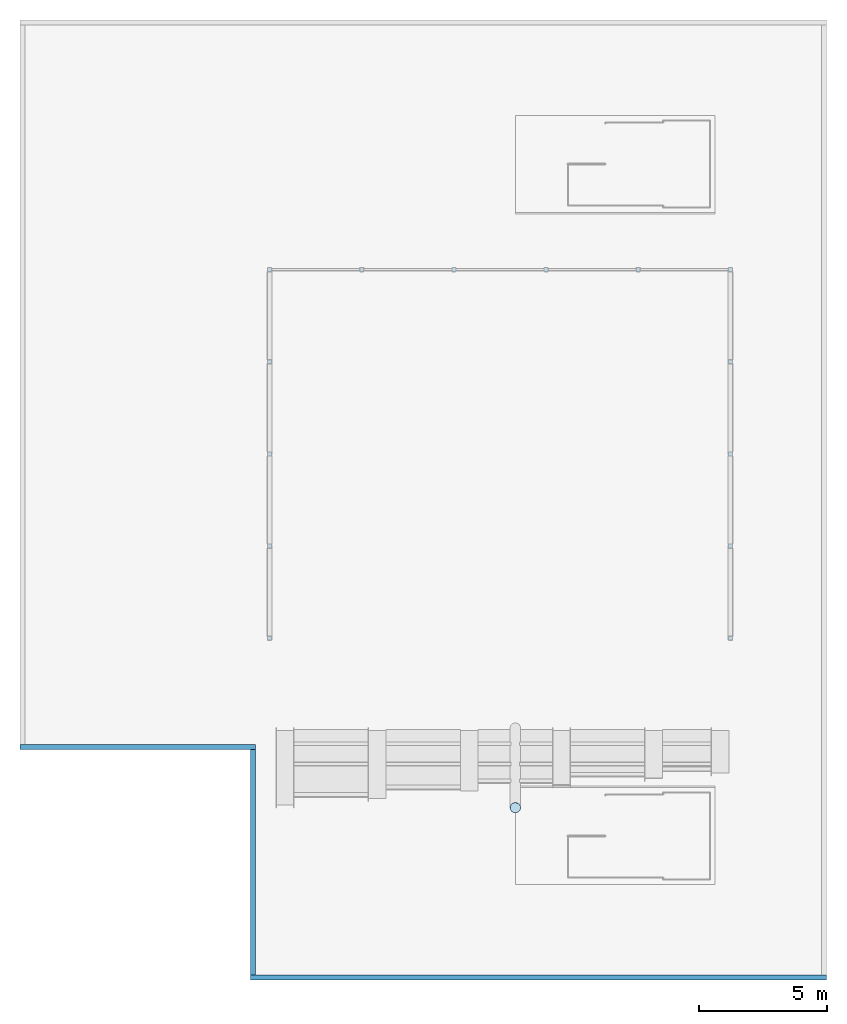
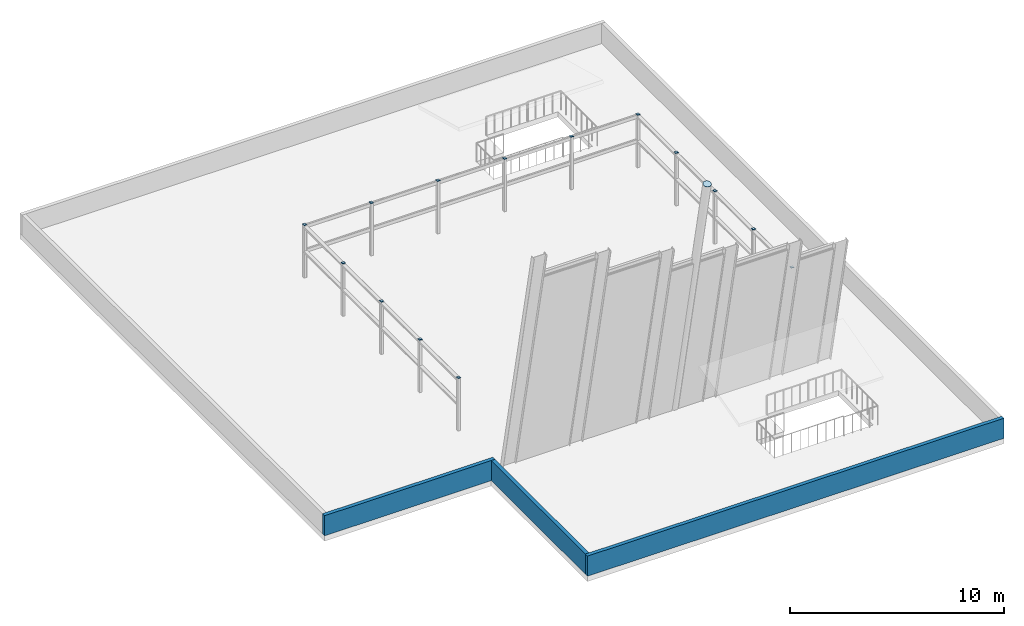
# One storey, part 3 of 5: 15 plates, 3 walls.
"""IFC4 building model written with IfcOpenShell, lengths in metres."""

from ifc_helpers import new_model, si_unit, direction, frame, frame_2d, origin, place, context, subcontext, project, spatial, polyline, rectangle, outline, extrude, material, layer, layer_set, type_object, element, save


model = new_model("IFC4")

# Units and contexts
model_context = context("Model", 3, precision=1e-05, world=origin(), true_north=direction((0.0, 1.0)))
body_context = subcontext(model_context, "Body", "Model", "MODEL_VIEW")
ifc_project = project(units=[si_unit("LENGTHUNIT", "METRE"), si_unit("AREAUNIT", "SQUARE_METRE"), si_unit("VOLUMEUNIT", "CUBIC_METRE"), si_unit("PLANEANGLEUNIT", "RADIAN"), si_unit("MASSUNIT", "GRAM", prefix="KILO")], contexts=[model_context])

# Site, building, storey
site_placement = place(None, origin())
site = spatial("IfcSite", under=ifc_project, at=site_placement, CompositionType="ELEMENT")
building_placement = place(site_placement, origin())
building = spatial("IfcBuilding", under=site, at=building_placement, Name="Tuart Plaza Theatre", CompositionType="ELEMENT")
storey_placement = place(building_placement, frame((0.0, 0.0, 70.5)))
storey = spatial("IfcBuildingStorey", under=building, at=storey_placement, Name="ROOF", CompositionType="ELEMENT", Elevation=70.5)

# Plates
ifc_material_1 = material(Name="Steel Grade C350L0", Category="steel")
ifc_layer_1 = layer(ifc_material_1, 0.010009765625)
ifc_layer_set_1 = layer_set([ifc_layer_1], Name="PLATE End cap 10 Steel Grade C350L0")
plate_type_1 = type_object("IfcPlateType", Name="PLATE End cap 10 Steel Grade C350L0", PredefinedType="SHEET", material=ifc_layer_set_1)
plate_1_placement = place(storey_placement, frame((140.925048828125, 68.52490234375, 3.010009765625), z_axis=(0.0, 0.0, 1.0), x_axis=(1.0, 0.0, 0.0)))
element("IfcPlate", 1, at=plate_1_placement, inside=storey, type_object=plate_type_1, Name="EP51", PredefinedType="SHEET", context=body_context, shape_type="SweptSolid", body=[
    extrude(outline(polyline([(0.0, 0.0), (0.14990234375, 0.0), (0.14990234375, 0.150146484375), (0.0, 0.150146484375), (0.0, 0.0)])), origin(), (0.0, 0.0, -1.0), 0.010009765625),
])
for number, where, z_axis, x_axis, name in (
    (2, (140.925048828125, 72.125, 3.010009765625), (0.0, 0.0, 1.0), (1.0, 0.0, 0.0), "EP52"),
    (3, (140.925048828125, 75.72509765625, 3.010009765625), (0.0, 0.0, 1.0), (1.0, 0.0, 0.0), "EP53"),
):
    element("IfcPlate", number, at=place(storey_placement, frame(where, z_axis=z_axis, x_axis=x_axis)), inside=storey, type_object=plate_type_1, Name=name, PredefinedType="SHEET", context=body_context, shape_type="SweptSolid", body=[
        extrude(outline(polyline([(0.0, 0.0), (0.14990234375, 0.0), (0.14990234375, 0.14990234375), (0.0, 0.14990234375), (0.0, 0.0)])), origin(), (0.0, 0.0, -1.0), 0.010009765625),
    ])
plate_2_placement = place(storey_placement, frame((140.925048828125, 79.324951171875, 3.010009765625), z_axis=(0.0, 0.0, 1.0), x_axis=(1.0, 0.0, 0.0)))
element("IfcPlate", 4, at=plate_2_placement, inside=storey, type_object=plate_type_1, Name="EP54", PredefinedType="SHEET", context=body_context, shape_type="SweptSolid", body=[
    extrude(outline(polyline([(0.0, 0.0), (0.14990234375, 0.0), (0.14990234375, 0.150146484375), (0.0, 0.150146484375), (0.0, 0.0)])), origin(), (0.0, 0.0, -1.0), 0.010009765625),
])
plate_3_placement = place(storey_placement, frame((140.925048828125, 82.925048828125, 3.010009765625), z_axis=(0.0, 0.0, 1.0), x_axis=(1.0, 0.0, 0.0)))
element("IfcPlate", 5, at=plate_3_placement, inside=storey, type_object=plate_type_1, Name="EP55", PredefinedType="SHEET", context=body_context, shape_type="SweptSolid", body=[
    extrude(outline(polyline([(0.0, 0.0), (0.14990234375, 0.0), (0.14990234375, 0.14990234375), (0.0, 0.14990234375), (0.0, 0.0)])), origin(), (0.0, 0.0, -1.0), 0.010009765625),
])
plate_4_placement = place(storey_placement, frame((137.324951171875, 82.925048828125, 3.010009765625), z_axis=(0.0, 0.0, 1.0), x_axis=(1.0, 0.0, 0.0)))
element("IfcPlate", 6, at=plate_4_placement, inside=storey, type_object=plate_type_1, Name="EP56", PredefinedType="SHEET", context=body_context, shape_type="SweptSolid", body=[
    extrude(outline(polyline([(0.0, 0.0), (0.150146484375, 0.0), (0.150146484375, 0.14990234375), (0.0, 0.14990234375), (0.0, 0.0)])), origin(), (0.0, 0.0, -1.0), 0.010009765625),
])
for number, where, z_axis, x_axis, name in (
    (7, (133.72509765625, 82.925048828125, 3.010009765625), (0.0, 0.0, 1.0), (1.0, 0.0, 0.0), "EP57"),
    (8, (130.125, 82.925048828125, 3.010009765625), (0.0, 0.0, 1.0), (1.0, 0.0, 0.0), "EP58"),
):
    element("IfcPlate", number, at=place(storey_placement, frame(where, z_axis=z_axis, x_axis=x_axis)), inside=storey, type_object=plate_type_1, Name=name, PredefinedType="SHEET", context=body_context, shape_type="SweptSolid", body=[
        extrude(outline(polyline([(0.0, 0.0), (0.14990234375, 0.0), (0.14990234375, 0.14990234375), (0.0, 0.14990234375), (0.0, 0.0)])), origin(), (0.0, 0.0, -1.0), 0.010009765625),
    ])
plate_5_placement = place(storey_placement, frame((126.52490234375, 82.925048828125, 3.010009765625), z_axis=(0.0, 0.0, 1.0), x_axis=(1.0, 0.0, 0.0)))
element("IfcPlate", 9, at=plate_5_placement, inside=storey, type_object=plate_type_1, Name="EP59", PredefinedType="SHEET", context=body_context, shape_type="SweptSolid", body=[
    extrude(outline(polyline([(0.0, 0.0), (0.150146484375, 0.0), (0.150146484375, 0.14990234375), (0.0, 0.14990234375), (0.0, 0.0)])), origin(), (0.0, 0.0, -1.0), 0.010009765625),
])
plate_6_placement = place(storey_placement, frame((122.925048828125, 82.925048828125, 3.010009765625), z_axis=(0.0, 0.0, 1.0), x_axis=(1.0, 0.0, 0.0)))
element("IfcPlate", 10, at=plate_6_placement, inside=storey, type_object=plate_type_1, Name="EP60", PredefinedType="SHEET", context=body_context, shape_type="SweptSolid", body=[
    extrude(outline(polyline([(0.0, 0.0), (0.14990234375, 0.0), (0.14990234375, 0.14990234375), (0.0, 0.14990234375), (0.0, 0.0)])), origin(), (0.0, 0.0, -1.0), 0.010009765625),
])
plate_7_placement = place(storey_placement, frame((122.925048828125, 79.324951171875, 3.010009765625), z_axis=(0.0, 0.0, 1.0), x_axis=(1.0, 0.0, 0.0)))
element("IfcPlate", 11, at=plate_7_placement, inside=storey, type_object=plate_type_1, Name="EP61", PredefinedType="SHEET", context=body_context, shape_type="SweptSolid", body=[
    extrude(outline(polyline([(0.0, 0.0), (0.14990234375, 0.0), (0.14990234375, 0.150146484375), (0.0, 0.150146484375), (0.0, 0.0)])), origin(), (0.0, 0.0, -1.0), 0.010009765625),
])
for number, where, z_axis, x_axis, name in (
    (12, (122.925048828125, 75.72509765625, 3.010009765625), (0.0, 0.0, 1.0), (1.0, 0.0, 0.0), "EP62"),
    (13, (122.925048828125, 72.125, 3.010009765625), (0.0, 0.0, 1.0), (1.0, 0.0, 0.0), "EP63"),
):
    element("IfcPlate", number, at=place(storey_placement, frame(where, z_axis=z_axis, x_axis=x_axis)), inside=storey, type_object=plate_type_1, Name=name, PredefinedType="SHEET", context=body_context, shape_type="SweptSolid", body=[
        extrude(outline(polyline([(0.0, 0.0), (0.14990234375, 0.0), (0.14990234375, 0.14990234375), (0.0, 0.14990234375), (0.0, 0.0)])), origin(), (0.0, 0.0, -1.0), 0.010009765625),
    ])
plate_8_placement = place(storey_placement, frame((122.925048828125, 68.52490234375, 3.010009765625), z_axis=(0.0, 0.0, 1.0), x_axis=(1.0, 0.0, 0.0)))
element("IfcPlate", 14, at=plate_8_placement, inside=storey, type_object=plate_type_1, Name="EP64", PredefinedType="SHEET", context=body_context, shape_type="SweptSolid", body=[
    extrude(outline(polyline([(0.0, 0.0), (0.14990234375, 0.0), (0.14990234375, 0.150146484375), (0.0, 0.150146484375), (0.0, 0.0)])), origin(), (0.0, 0.0, -1.0), 0.010009765625),
])
ifc_material_2 = material(Name="Steel Grade C350L0", Category="steel")
ifc_layer_2 = layer(ifc_material_2, 0.01611328125)
ifc_layer_set_2 = layer_set([ifc_layer_2], Name="PLATE End cap 16 Steel Grade C350L0")
plate_type_2 = type_object("IfcPlateType", Name="PLATE End cap 16 Steel Grade C350L0", PredefinedType="SHEET", material=ifc_layer_set_2)
plate_9_placement = place(storey_placement, frame((132.80322265625, 61.980712890625, 14.709716796875), z_axis=(0.0, -0.207743515266, 0.978183332441), x_axis=(-0.193805851441, 0.959636881908, 0.203804678136)))
element("IfcPlate", 15, at=plate_9_placement, inside=storey, type_object=plate_type_2, Name="EP65", PredefinedType="SHEET", context=body_context, shape_type="SweptSolid", body=[
    extrude(outline(polyline([(0.0, 0.0), (0.07936220325998355, 4.336808689942018e-19), (0.15256436583565633, 0.03058228883203901), (0.208464817220874, 0.08673100815097905), (0.2386838622043056, 0.15989835920653786), (0.23860503386336365, 0.23929995796256184), (0.20825515859579805, 0.3124875540254973), (0.15213402931359274, 0.3683689871431936), (0.07878094302942736, 0.39878697242744954), (-0.0006285761122555599, 0.3985474607322979), (-0.07378342280622899, 0.3682046835954105), (-0.12968387419144667, 0.3120559642764705), (-0.15995023505657763, 0.23864910152576005), (-0.15982409083393628, 0.15948701446488767), (-0.1294742155663707, 0.0862994184019522), (-0.07340040216586474, 0.030178473589104287), (0.0, 0.0)])), origin(), (0.0, 0.0, -1.0), 0.01611328125),
])

# Walls
ifc_material_3 = material(Name="Concrete N40 (40 MPa)", Category="concrete")
ifc_layer_3 = layer(ifc_material_3, 0.199951171875)
ifc_layer_set_3 = layer_set([ifc_layer_3], Name="PARAPET RC200 EXT")
wall_type = type_object("IfcWallType", Name="PARAPET RC200 EXT", PredefinedType="PARAPET", material=ifc_layer_set_3)
wall_1_placement = place(storey_placement, frame((144.75, 55.35009765625, 0.0), z_axis=(0.0, 0.0, 1.0), x_axis=(-1.0, 0.0, 0.0)))
element("IfcWall", 16, at=wall_1_placement, inside=storey, type_object=wall_type, Name="P186", PredefinedType="PARAPET", context=body_context, shape_type="SweptSolid", body=[
    extrude(rectangle(XDim=22.5, YDim=0.199951171875, at=frame_2d((11.25, 0.0))), origin(), (0.0, 0.0, 1.0), 1.14990234375),
])
wall_2_placement = place(storey_placement, frame((122.35009765625, 55.449951171875, 0.0), z_axis=(0.0, 0.0, 1.0), x_axis=(0.0, 1.0, 0.0)))
element("IfcWall", 17, at=wall_2_placement, inside=storey, type_object=wall_type, Name="P187", PredefinedType="PARAPET", context=body_context, shape_type="SweptSolid", body=[
    extrude(rectangle(XDim=8.800048828125, YDim=0.199951171875, at=frame_2d((4.39990234375, 0.0))), origin(), (0.0, 0.0, 1.0), 1.14990234375),
])
wall_3_placement = place(storey_placement, frame((122.449951171875, 64.35009765625, 0.0), z_axis=(0.0, 0.0, 1.0), x_axis=(-1.0, 0.0, 0.0)))
element("IfcWall", 18, at=wall_3_placement, inside=storey, type_object=wall_type, Name="P188", PredefinedType="PARAPET", context=body_context, shape_type="SweptSolid", body=[
    extrude(rectangle(XDim=9.199951171875, YDim=0.199951171875, at=frame_2d((4.60009765625, 0.0))), origin(), (0.0, 0.0, 1.0), 1.14990234375),
])

save(model, "model.ifc")
